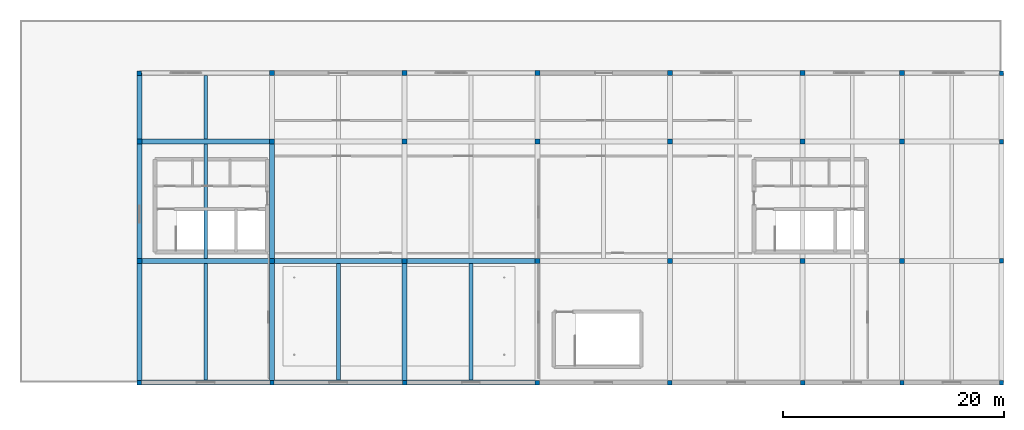
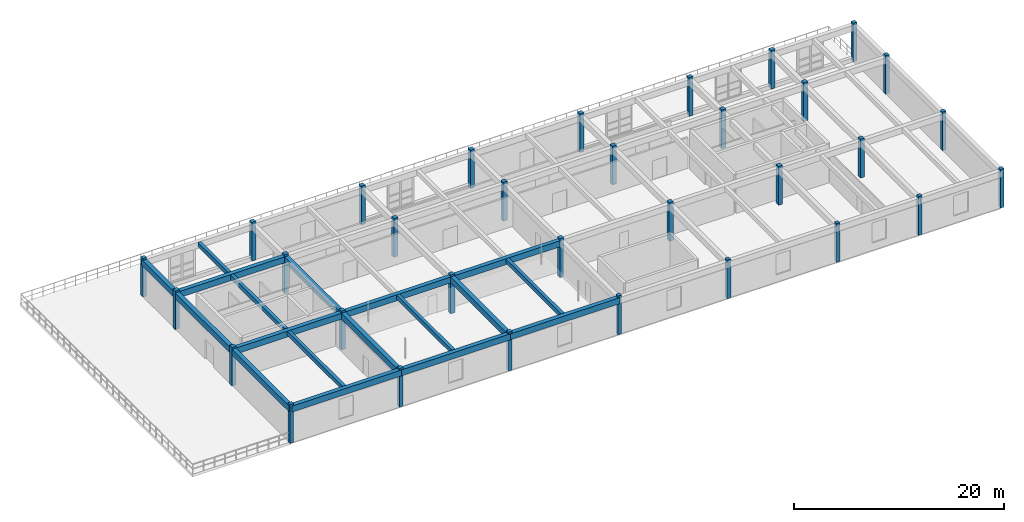
# One storey, part 1 of 15: 32 columns, 18 beams.
"""IFC4 building model written with IfcOpenShell, lengths in metres."""

from ifc_helpers import new_model, si_unit, derived_unit, direction, frame, origin, origin_2d, place, context, subcontext, project, spatial, rectangle, extrude, material, material_profile, profile_set, type_object, element, save


model = new_model("IFC4")

# Units and contexts
model_context = context("Model", 3, precision=1e-05, world=origin(), true_north=direction((0.0, 1.0)))
body_context = subcontext(model_context, "Body", "Model", "MODEL_VIEW")
ifc_project = project(units=[si_unit("LENGTHUNIT", "METRE"), si_unit("AREAUNIT", "SQUARE_METRE"), si_unit("VOLUMEUNIT", "CUBIC_METRE"), si_unit("PLANEANGLEUNIT", "RADIAN"), si_unit("MASSUNIT", "GRAM", prefix="KILO"), derived_unit("THERMALTRANSMITTANCEUNIT", [(si_unit("POWERUNIT", "WATT"), 1), (si_unit("LENGTHUNIT", "METRE"), -2), (si_unit("THERMODYNAMICTEMPERATUREUNIT", "KELVIN"), -1)])], contexts=[model_context])

# Site, building, storey
site_placement = place(None, origin())
site = spatial("IfcSite", under=ifc_project, at=site_placement, CompositionType="ELEMENT")
building_placement = place(site_placement, origin())
building = spatial("IfcBuilding", under=site, at=building_placement, Name="Almenara Railside Exhibition Hall", CompositionType="ELEMENT")
storey_placement = place(building_placement, frame((0.0, 0.0, 16.199951171875)))
storey = spatial("IfcBuildingStorey", under=building, at=storey_placement, Name="L03", CompositionType="ELEMENT", Elevation=16.199951171875)

# Columns
ifc_material = material(Name="Concrete C35/45", Category="concrete")
ifc_material_profile_1 = material_profile(ifc_material, rectangle(XDim=0.39990234375, YDim=0.39990234375, at=origin_2d()), Name="RC 400x400")
ifc_profile_set_1 = profile_set([ifc_material_profile_1], Name="Concrete C35/45")
column_type_1 = type_object("IfcColumnType", Name="RC Column 400x400 C35/45", PredefinedType="COLUMN", material=ifc_profile_set_1)
for number, where, z_axis, x_axis, name in (
    (1, (126.0, 0.0, 0.0), (0.0, 0.0, 1.0), (1.0, 0.0, 0.0), "Column 0305"),
    (2, (138.0, 0.0, 0.0), (0.0, 0.0, 1.0), (1.0, 0.0, 0.0), "Column 0324"),
    (3, (150.0, 0.0, 0.0), (0.0, 0.0, 1.0), (1.0, 0.0, 0.0), "Column 0343"),
    (4, (162.0, 0.0, 0.0), (0.0, 0.0, 1.0), (1.0, 0.0, 0.0), "Column 0362"),
    (5, (174.0, 0.0, 0.0), (0.0, 0.0, 1.0), (1.0, 0.0, 0.0), "Column 0381"),
    (6, (186.0, 0.0, 0.0), (0.0, 0.0, 1.0), (1.0, 0.0, 0.0), "Column 0400"),
    (7, (195.0, 0.0, 0.0), (0.0, 0.0, 1.0), (1.0, 0.0, 0.0), "Column 0419"),
    (8, (204.0, 0.0, 0.0), (0.0, 0.0, 1.0), (1.0, 0.0, 0.0), "Column 0438"),
    (9, (204.0, 11.0, 0.0), (0.0, 0.0, 1.0), (1.0, 0.0, 0.0), "Column 0443"),
    (10, (204.0, 21.800048828125, 0.0), (0.0, 0.0, 1.0), (1.0, 0.0, 0.0), "Column 0448"),
    (11, (126.0, 28.0, 0.0), (0.0, 0.0, 1.0), (1.0, 0.0, 0.0), "Column 0515"),
    (12, (204.0, 28.0, 0.0), (0.0, 0.0, 1.0), (1.0, 0.0, 0.0), "Column 0522"),
):
    element("IfcColumn", number, at=place(storey_placement, frame(where, z_axis=z_axis, x_axis=x_axis)), inside=storey, type_object=column_type_1, Name=name, PredefinedType="COLUMN", context=body_context, shape_type="SweptSolid", body=[
        extrude(rectangle(XDim=0.39990234375, YDim=0.39990234375, at=origin_2d()), origin(), (0.0, 0.0, 1.0), 4.5),
    ])
ifc_material_profile_2 = material_profile(ifc_material, rectangle(XDim=0.449951171875, YDim=0.449951171875, at=origin_2d()), Name="RC 450x450")
ifc_profile_set_2 = profile_set([ifc_material_profile_2], Name="Concrete C35/45")
column_type_2 = type_object("IfcColumnType", Name="RC Column 450x450 C35/45", PredefinedType="COLUMN", material=ifc_profile_set_2)
for number, where, z_axis, x_axis, name in (
    (13, (126.0, 11.0, 0.0), (0.0, 0.0, 1.0), (1.0, 0.0, 0.0), "Column 0310"),
    (14, (126.0, 21.800048828125, 0.0), (0.0, 0.0, 1.0), (1.0, 0.0, 0.0), "Column 0315"),
    (15, (138.0, 11.0, 0.0), (0.0, 0.0, 1.0), (1.0, 0.0, 0.0), "Column 0329"),
    (16, (138.0, 21.800048828125, 0.0), (0.0, 0.0, 1.0), (1.0, 0.0, 0.0), "Column 0334"),
    (17, (150.0, 11.0, 0.0), (0.0, 0.0, 1.0), (1.0, 0.0, 0.0), "Column 0348"),
    (18, (150.0, 21.800048828125, 0.0), (0.0, 0.0, 1.0), (1.0, 0.0, 0.0), "Column 0353"),
    (19, (162.0, 11.0, 0.0), (0.0, 0.0, 1.0), (1.0, 0.0, 0.0), "Column 0367"),
    (20, (162.0, 21.800048828125, 0.0), (0.0, 0.0, 1.0), (1.0, 0.0, 0.0), "Column 0372"),
    (21, (174.0, 11.0, 0.0), (0.0, 0.0, 1.0), (1.0, 0.0, 0.0), "Column 0386"),
    (22, (174.0, 21.800048828125, 0.0), (0.0, 0.0, 1.0), (1.0, 0.0, 0.0), "Column 0391"),
    (23, (186.0, 11.0, 0.0), (0.0, 0.0, 1.0), (1.0, 0.0, 0.0), "Column 0405"),
    (24, (186.0, 21.800048828125, 0.0), (0.0, 0.0, 1.0), (1.0, 0.0, 0.0), "Column 0410"),
    (25, (195.0, 11.0, 0.0), (0.0, 0.0, 1.0), (1.0, 0.0, 0.0), "Column 0424"),
    (26, (195.0, 21.800048828125, 0.0), (0.0, 0.0, 1.0), (1.0, 0.0, 0.0), "Column 0429"),
    (27, (138.0, 28.0, 0.0), (0.0, 0.0, 1.0), (1.0, 0.0, 0.0), "Column 0516"),
    (28, (150.0, 28.0, 0.0), (0.0, 0.0, 1.0), (1.0, 0.0, 0.0), "Column 0517"),
    (29, (162.0, 28.0, 0.0), (0.0, 0.0, 1.0), (1.0, 0.0, 0.0), "Column 0518"),
    (30, (174.0, 28.0, 0.0), (0.0, 0.0, 1.0), (1.0, 0.0, 0.0), "Column 0519"),
    (31, (186.0, 28.0, 0.0), (0.0, 0.0, 1.0), (1.0, 0.0, 0.0), "Column 0520"),
    (32, (195.0, 28.0, 0.0), (0.0, 0.0, 1.0), (1.0, 0.0, 0.0), "Column 0521"),
):
    element("IfcColumn", number, at=place(storey_placement, frame(where, z_axis=z_axis, x_axis=x_axis)), inside=storey, type_object=column_type_2, Name=name, PredefinedType="COLUMN", context=body_context, shape_type="SweptSolid", body=[
        extrude(rectangle(XDim=0.449951171875, YDim=0.449951171875, at=origin_2d()), origin(), (0.0, 0.0, 1.0), 4.5),
    ])

# Beams
ifc_material_profile_3 = material_profile(ifc_material, rectangle(XDim=0.449951171875, YDim=0.699951171875, at=origin_2d()), Name="RC 450x700")
ifc_profile_set_3 = profile_set([ifc_material_profile_3], Name="Concrete C35/45")
beam_type_1 = type_object("IfcBeamType", Name="RC Floor Beam 450x700 C35/45", PredefinedType="BEAM", material=ifc_profile_set_3)
for number, where, z_axis, x_axis, name in (
    (33, (126.0, 0.0, 3.929931640625), (1.0, 0.0, 0.0), (0.0, 1.0, 0.0), "Beam 0340"),
    (34, (138.0, 0.0, 3.929931640625), (1.0, 0.0, 0.0), (0.0, 1.0, 0.0), "Beam 0341"),
    (35, (150.0, 0.0, 3.929931640625), (1.0, 0.0, 0.0), (0.0, 1.0, 0.0), "Beam 0342"),
    (36, (126.0, 11.0, 3.929931640625), (1.0, 0.0, 0.0), (0.0, 1.0, 0.0), "Beam 0347"),
    (37, (138.0, 11.0, 3.929931640625), (1.0, 0.0, 0.0), (0.0, 1.0, 0.0), "Beam 0348"),
    (38, (150.0, 11.0, 3.929931640625), (1.0, 0.0, 0.0), (0.0, 1.0, 0.0), "Beam 0349"),
    (39, (126.0, 21.800048828125, 3.929931640625), (1.0, 0.0, 0.0), (0.0, 1.0, 0.0), "Beam 0354"),
):
    element("IfcBeam", number, at=place(storey_placement, frame(where, z_axis=z_axis, x_axis=x_axis)), inside=storey, type_object=beam_type_1, Name=name, PredefinedType="BEAM", context=body_context, shape_type="SweptSolid", body=[
        extrude(rectangle(XDim=0.449951171875, YDim=0.699951171875, at=origin_2d()), origin(), (0.0, 0.0, 1.0), 12.0),
    ])
beam_1_placement = place(storey_placement, frame((126.0, 0.0, 3.929931640625), z_axis=(0.0, 1.0, 0.0), x_axis=(-1.0, 0.0, 0.0)))
element("IfcBeam", 40, at=beam_1_placement, inside=storey, type_object=beam_type_1, Name="Beam 0368", PredefinedType="BEAM", context=body_context, shape_type="SweptSolid", body=[
    extrude(rectangle(XDim=0.449951171875, YDim=0.699951171875, at=origin_2d()), origin(), (0.0, 0.0, 1.0), 11.0),
])
beam_2_placement = place(storey_placement, frame((126.0, 11.0, 3.929931640625), z_axis=(0.0, 1.0, 0.0), x_axis=(-1.0, 0.0, 0.0)))
element("IfcBeam", 41, at=beam_2_placement, inside=storey, type_object=beam_type_1, Name="Beam 0369", PredefinedType="BEAM", context=body_context, shape_type="SweptSolid", body=[
    extrude(rectangle(XDim=0.449951171875, YDim=0.699951171875, at=origin_2d()), origin(), (0.0, 0.0, 1.0), 10.800048828125),
])
beam_3_placement = place(storey_placement, frame((126.0, 21.800048828125, 3.929931640625), z_axis=(0.0, 1.0, 0.0), x_axis=(-1.0, 0.0, 0.0)))
element("IfcBeam", 42, at=beam_3_placement, inside=storey, type_object=beam_type_1, Name="Beam 0370", PredefinedType="BEAM", context=body_context, shape_type="SweptSolid", body=[
    extrude(rectangle(XDim=0.449951171875, YDim=0.699951171875, at=origin_2d()), origin(), (0.0, 0.0, 1.0), 6.199951171875),
])
beam_4_placement = place(storey_placement, frame((138.0, 0.0, 3.929931640625), z_axis=(0.0, 1.0, 0.0), x_axis=(-1.0, 0.0, 0.0)))
element("IfcBeam", 43, at=beam_4_placement, inside=storey, type_object=beam_type_1, Name="Beam 0371", PredefinedType="BEAM", context=body_context, shape_type="SweptSolid", body=[
    extrude(rectangle(XDim=0.449951171875, YDim=0.699951171875, at=origin_2d()), origin(), (0.0, 0.0, 1.0), 11.0),
])
beam_5_placement = place(storey_placement, frame((138.0, 11.0, 3.929931640625), z_axis=(0.0, 1.0, 0.0), x_axis=(-1.0, 0.0, 0.0)))
element("IfcBeam", 44, at=beam_5_placement, inside=storey, type_object=beam_type_1, Name="Beam 0372", PredefinedType="BEAM", context=body_context, shape_type="SweptSolid", body=[
    extrude(rectangle(XDim=0.449951171875, YDim=0.699951171875, at=origin_2d()), origin(), (0.0, 0.0, 1.0), 10.800048828125),
])
beam_6_placement = place(storey_placement, frame((150.0, 0.0, 3.929931640625), z_axis=(0.0, 1.0, 0.0), x_axis=(-1.0, 0.0, 0.0)))
element("IfcBeam", 45, at=beam_6_placement, inside=storey, type_object=beam_type_1, Name="Beam 0374", PredefinedType="BEAM", context=body_context, shape_type="SweptSolid", body=[
    extrude(rectangle(XDim=0.449951171875, YDim=0.699951171875, at=origin_2d()), origin(), (0.0, 0.0, 1.0), 11.0),
])
ifc_material_profile_4 = material_profile(ifc_material, rectangle(XDim=0.35009765625, YDim=0.5, at=origin_2d()), Name="RC 350x500")
ifc_profile_set_4 = profile_set([ifc_material_profile_4], Name="Concrete C35/45")
beam_type_2 = type_object("IfcBeamType", Name="RC Spandrel Tie Beam 350x500 C35/45", PredefinedType="SPANDREL", material=ifc_profile_set_4)
beam_7_placement = place(storey_placement, frame((132.0, 0.22509765625, 4.030029296875), z_axis=(0.0, 1.0, 0.0), x_axis=(-1.0, 0.0, 0.0)))
element("IfcBeam", 46, at=beam_7_placement, inside=storey, type_object=beam_type_2, Name="Beam 0392", PredefinedType="SPANDREL", context=body_context, shape_type="SweptSolid", body=[
    extrude(rectangle(XDim=0.35009765625, YDim=0.5, at=origin_2d()), origin(), (0.0, 0.0, 1.0), 10.5498046875),
])
beam_8_placement = place(storey_placement, frame((132.0, 11.22509765625, 4.030029296875), z_axis=(0.0, 1.0, 0.0), x_axis=(-1.0, 0.0, 0.0)))
element("IfcBeam", 47, at=beam_8_placement, inside=storey, type_object=beam_type_2, Name="Beam 0393", PredefinedType="SPANDREL", context=body_context, shape_type="SweptSolid", body=[
    extrude(rectangle(XDim=0.35009765625, YDim=0.5, at=origin_2d()), origin(), (0.0, 0.0, 1.0), 10.349853515625),
])
beam_9_placement = place(storey_placement, frame((132.0, 22.02490234375, 4.030029296875), z_axis=(0.0, 1.0, 0.0), x_axis=(-1.0, 0.0, 0.0)))
element("IfcBeam", 48, at=beam_9_placement, inside=storey, type_object=beam_type_2, Name="Beam 0394", PredefinedType="SPANDREL", context=body_context, shape_type="SweptSolid", body=[
    extrude(rectangle(XDim=0.35009765625, YDim=0.5, at=origin_2d()), origin(), (0.0, 0.0, 1.0), 5.75),
])
for number, where, z_axis, x_axis, name in (
    (49, (144.0, 0.22509765625, 4.030029296875), (0.0, 1.0, 0.0), (-1.0, 0.0, 0.0), "Beam 0395"),
    (50, (156.0, 0.22509765625, 4.030029296875), (0.0, 1.0, 0.0), (-1.0, 0.0, 0.0), "Beam 0398"),
):
    element("IfcBeam", number, at=place(storey_placement, frame(where, z_axis=z_axis, x_axis=x_axis)), inside=storey, type_object=beam_type_2, Name=name, PredefinedType="SPANDREL", context=body_context, shape_type="SweptSolid", body=[
        extrude(rectangle(XDim=0.35009765625, YDim=0.5, at=origin_2d()), origin(), (0.0, 0.0, 1.0), 10.5498046875),
    ])

save(model, "model.ifc")
